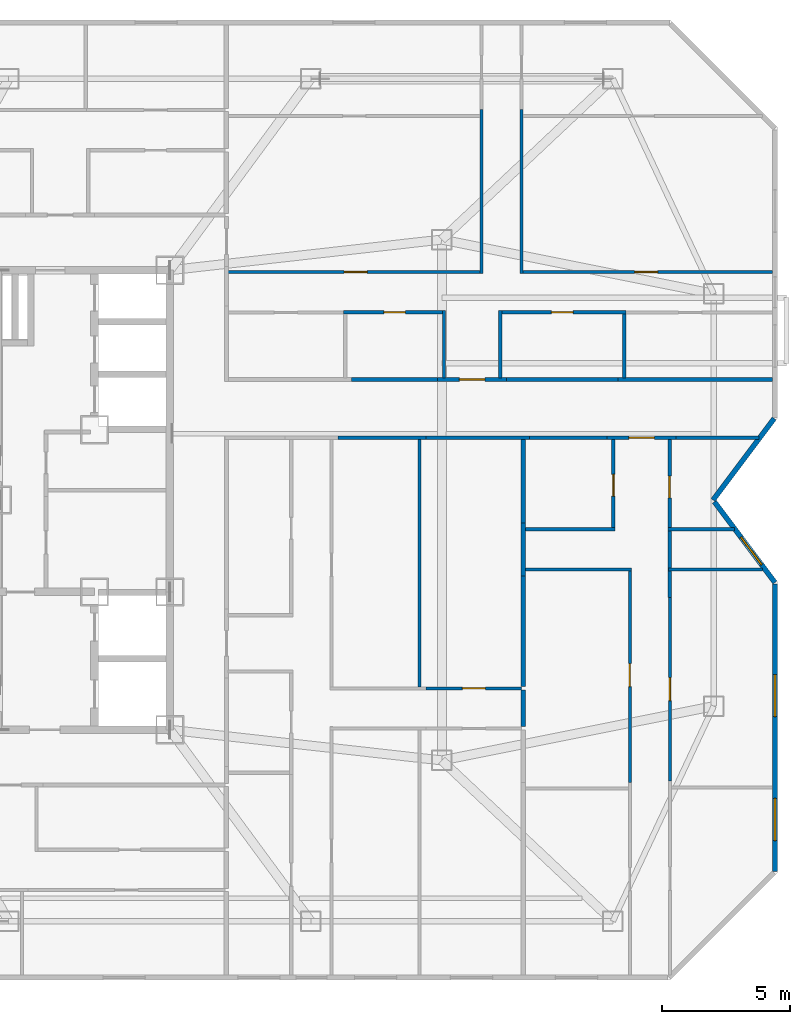
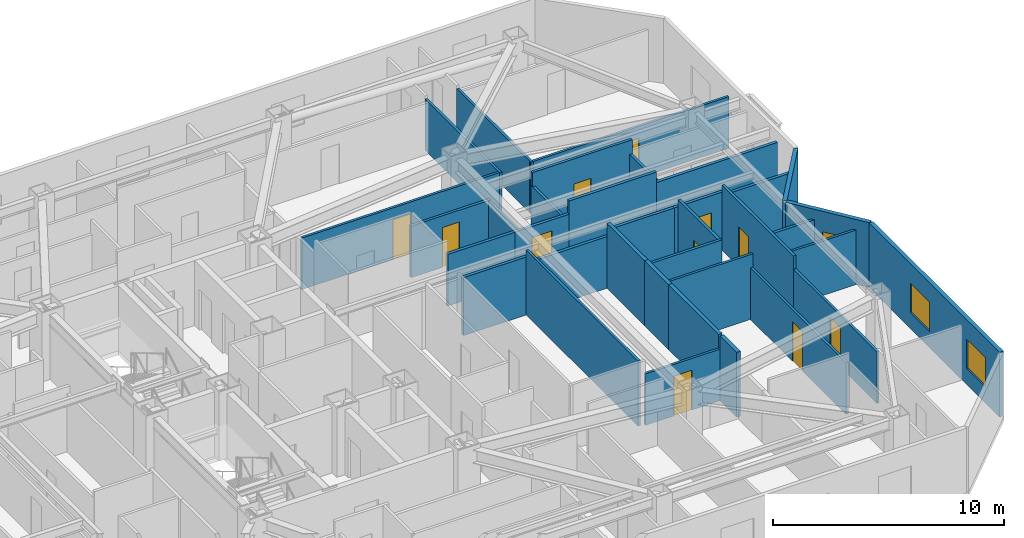
# One storey, part 9 of 12: 35 walls, 11 doors, 3 windows, 14 openings.
"""IFC4 building model written with IfcOpenShell, lengths in metres."""

from ifc_helpers import new_model, si_unit, direction, frame, frame_2d, origin, place, context, subcontext, project, spatial, rectangle, extrude, material, layer, layer_set, type_object, element, fill, save


model = new_model("IFC4")

# Units and contexts
model_context = context("Model", 3, precision=1e-05, world=origin(), true_north=direction((0.0, 1.0)))
body_context = subcontext(model_context, "Body", "Model", "MODEL_VIEW")
ifc_project = project(units=[si_unit("LENGTHUNIT", "METRE"), si_unit("AREAUNIT", "SQUARE_METRE"), si_unit("VOLUMEUNIT", "CUBIC_METRE"), si_unit("PLANEANGLEUNIT", "RADIAN"), si_unit("MASSUNIT", "GRAM", prefix="KILO")], contexts=[model_context])

# Site, building, storey
site_placement = place(None, origin())
site = spatial("IfcSite", under=ifc_project, at=site_placement, CompositionType="ELEMENT")
building_placement = place(site_placement, origin())
building = spatial("IfcBuilding", under=site, at=building_placement, Name="Khamvora Tower", CompositionType="ELEMENT")
storey_placement = place(building_placement, frame((0.0, 0.0, 199.699951171875)))
storey = spatial("IfcBuildingStorey", under=building, at=storey_placement, Name="L51", CompositionType="ELEMENT", Elevation=199.699951171875)

# Walls
ifc_material_1 = material(Name="Fire-Rated Drywall and Steel Stud", Category="steel")
ifc_layer_1 = layer(ifc_material_1, 0.14990234375)
ifc_layer_set_1 = layer_set([ifc_layer_1], Name="Fire-Rated Drywall and Steel Stud")
wall_type_1 = type_object("IfcWallType", Name="WAL-CORR-150", PredefinedType="STANDARD", material=ifc_layer_set_1)
wall_1_placement = place(storey_placement, frame((49.431884765625, 30.43505859375, 0.0), z_axis=(0.0, 0.0, 1.0), x_axis=(-1.0, 0.0, 0.0)))
element("IfcWall", 1, at=wall_1_placement, inside=storey, type_object=wall_type_1, Name="L51 interior partition wall 031", PredefinedType="STANDARD", context=body_context, shape_type="SweptSolid", body=[
    extrude(rectangle(XDim=3.447998046875, YDim=0.14990234375, at=frame_2d((1.72412109375, 0.0))), origin(), (0.0, 0.0, 1.0), 3.06494140625),
])
wall_2_placement = place(storey_placement, frame((53.490966796875, 30.43505859375, 0.0), z_axis=(0.0, 0.0, 1.0), x_axis=(-1.0, 0.0, 0.0)))
element("IfcWall", 2, at=wall_2_placement, inside=storey, type_object=wall_type_1, Name="L51 interior partition wall 032", PredefinedType="STANDARD", context=body_context, shape_type="SweptSolid", body=[
    extrude(rectangle(XDim=4.05908203125, YDim=0.14990234375, at=frame_2d((2.029541015625, 0.0))), origin(), (0.0, 0.0, 1.0), 2.72509765625),
])

# Wall, opening, door
wall_3_placement = place(storey_placement, frame((59.221923828125, 30.43505859375, 0.0), z_axis=(0.0, 0.0, 1.0), x_axis=(-1.0, 0.0, 0.0)))
wall_3 = element("IfcWall", 3, at=wall_3_placement, inside=storey, type_object=wall_type_1, Name="L51 interior partition wall 033", PredefinedType="STANDARD", context=body_context, shape_type="SweptSolid", body=[
    extrude(rectangle(XDim=2.697998046875, YDim=0.14990234375, at=frame_2d((1.34912109375, 0.0))), origin(), (0.0, 0.0, 1.0), 3.06494140625),
])
opening_1_placement = place(wall_3_placement, frame((0.84912109375, 0.0, 0.0)))
opening_1 = element("IfcOpeningElement", 4, at=opening_1_placement, cuts=wall_3, Name="Opening D-U1", PredefinedType="OPENING", context=body_context, shape_type="SweptSolid", body=[
    extrude(rectangle(XDim=1.0, YDim=2.14990234375, at=frame_2d((0.5, 1.074951171875))), frame((0.0, 0.0849609375, 0.0), z_axis=(0.0, -1.0, 0.0), x_axis=(1.0, 0.0, 0.0)), (0.0, 0.0, 1.0), 0.169921875),
])
ifc_material_2 = material(Name="Powder-Coated Steel and Hardwood Leaf", Category="steel")
door_type_1 = type_object("IfcDoorType", Name="DOR-UNIT-1000", OperationType="NOTDEFINED", PredefinedType="DOOR", material=ifc_material_2)
door_1_placement = place(opening_1_placement, origin())
door_1 = element("IfcDoor", 5, at=door_1_placement, inside=storey, type_object=door_type_1, Name="L51 interior door COR-51EA2H", OperationType="SINGLE_SWING_RIGHT", OverallHeight=2.14990234375, OverallWidth=1.0, PredefinedType="DOOR", context=body_context, shape_type="SweptSolid", body=[
    extrude(rectangle(XDim=1.0, YDim=2.14990234375, at=frame_2d((0.5, 1.074951171875))), frame((0.0, 0.02490234375, 0.0), z_axis=(0.0, -1.0, 0.0), x_axis=(1.0, 0.0, 0.0)), (0.0, 0.0, 1.0), 0.050048828125),
])
fill(opening_1, door_1)

# Walls
wall_4_placement = place(storey_placement, frame((62.47509765625, 30.43505859375, 0.0), z_axis=(0.0, 0.0, 1.0), x_axis=(-1.0, 0.0, 0.0)))
element("IfcWall", 6, at=wall_4_placement, inside=storey, type_object=wall_type_1, Name="L51 interior partition wall 034", PredefinedType="STANDARD", context=body_context, shape_type="SweptSolid", body=[
    extrude(rectangle(XDim=3.253173828125, YDim=0.14990234375, at=frame_2d((1.62646484375, 0.0))), origin(), (0.0, 0.0, 1.0), 2.8759765625),
])
wall_5_placement = place(storey_placement, frame((56.52392578125, 30.43505859375, 0.0), z_axis=(0.0, 0.0, 1.0), x_axis=(-1.0, 0.0, 0.0)))
element("IfcWall", 7, at=wall_5_placement, inside=storey, type_object=wall_type_1, Name="L51 interior partition wall 035", PredefinedType="STANDARD", context=body_context, shape_type="SweptSolid", body=[
    extrude(rectangle(XDim=3.032958984375, YDim=0.14990234375, at=frame_2d((1.5166015625, 0.0))), origin(), (0.0, 0.0, 1.0), 3.06494140625),
])
wall_6_placement = place(storey_placement, frame((56.950927734375, 32.715087890625, 0.0), z_axis=(0.0, 0.0, 1.0), x_axis=(1.0, 0.0, 0.0)))
element("IfcWall", 8, at=wall_6_placement, inside=storey, type_object=wall_type_1, Name="L51 interior partition wall 038", PredefinedType="STANDARD", context=body_context, shape_type="SweptSolid", body=[
    extrude(rectangle(XDim=6.05712890625, YDim=0.14990234375, at=frame_2d((3.028564453125, 0.0))), origin(), (0.0, 0.0, 1.0), 2.8759765625),
])

# Wall, opening, door
wall_7_placement = place(storey_placement, frame((49.885986328125, 32.715087890625, 0.0), z_axis=(0.0, 0.0, 1.0), x_axis=(1.0, 0.0, 0.0)))
wall_7 = element("IfcWall", 9, at=wall_7_placement, inside=storey, type_object=wall_type_1, Name="L51 interior partition wall 040", PredefinedType="STANDARD", context=body_context, shape_type="SweptSolid", body=[
    extrude(rectangle(XDim=2.697998046875, YDim=0.14990234375, at=frame_2d((1.34912109375, 0.0))), origin(), (0.0, 0.0, 1.0), 2.72509765625),
])
opening_2_placement = place(wall_7_placement, frame((0.84912109375, 0.0, 0.0)))
opening_2 = element("IfcOpeningElement", 10, at=opening_2_placement, cuts=wall_7, Name="Opening D-U1", PredefinedType="OPENING", context=body_context, shape_type="SweptSolid", body=[
    extrude(rectangle(XDim=1.0, YDim=2.14990234375, at=frame_2d((0.5, 1.074951171875))), frame((0.0, 0.0849609375, 0.0), z_axis=(0.0, -1.0, 0.0), x_axis=(1.0, 0.0, 0.0)), (0.0, 0.0, 1.0), 0.169921875),
])
door_2_placement = place(opening_2_placement, origin())
door_2 = element("IfcDoor", 11, at=door_2_placement, inside=storey, type_object=door_type_1, Name="L51 interior door COR-51EBH", OperationType="SINGLE_SWING_LEFT", OverallHeight=2.14990234375, OverallWidth=1.0, PredefinedType="DOOR", context=body_context, shape_type="SweptSolid", body=[
    extrude(rectangle(XDim=1.0, YDim=2.14990234375, at=frame_2d((0.5, 1.074951171875))), frame((0.0, 0.02490234375, 0.0), z_axis=(0.0, -1.0, 0.0), x_axis=(1.0, 0.0, 0.0)), (0.0, 0.0, 1.0), 0.050048828125),
])
fill(opening_2, door_2)

# Walls
wall_8_placement = place(storey_placement, frame((46.51904296875, 32.715087890625, 0.0), z_axis=(0.0, 0.0, 1.0), x_axis=(1.0, 0.0, 0.0)))
element("IfcWall", 12, at=wall_8_placement, inside=storey, type_object=wall_type_1, Name="L51 interior partition wall 041", PredefinedType="STANDARD", context=body_context, shape_type="SweptSolid", body=[
    extrude(rectangle(XDim=3.366943359375, YDim=0.14990234375, at=frame_2d((1.68359375, 0.0))), origin(), (0.0, 0.0, 1.0), 2.72509765625),
])
wall_9_placement = place(storey_placement, frame((52.583984375, 32.715087890625, 0.0), z_axis=(0.0, 0.0, 1.0), x_axis=(1.0, 0.0, 0.0)))
element("IfcWall", 13, at=wall_9_placement, inside=storey, type_object=wall_type_1, Name="L51 interior partition wall 042", PredefinedType="STANDARD", context=body_context, shape_type="SweptSolid", body=[
    extrude(rectangle(XDim=4.366943359375, YDim=0.14990234375, at=frame_2d((2.18359375, 0.0))), origin(), (0.0, 0.0, 1.0), 3.429931640625),
])
ifc_material_3 = material(Name="Acoustic Double-Stud Fire Wall", Category="gypsum")
ifc_layer_2 = layer(ifc_material_3, 0.179931640625)
ifc_layer_set_2 = layer_set([ifc_layer_2], Name="Acoustic Double-Stud Fire Wall")
wall_type_2 = type_object("IfcWallType", Name="WAL-CORR-180", PredefinedType="STANDARD", material=ifc_layer_set_2)
wall_10_placement = place(storey_placement, frame((53.240966796875, 20.56005859375, 0.0), z_axis=(0.0, 0.0, 1.0), x_axis=(0.0, -1.0, 0.0)))
element("IfcWall", 14, at=wall_10_placement, inside=storey, type_object=wall_type_2, Name="L51 interior partition wall 112", PredefinedType="STANDARD", context=body_context, shape_type="SweptSolid", body=[
    extrude(rectangle(XDim=1.43994140625, YDim=0.179931640625, at=frame_2d((0.719970703125, 0.0))), origin(), (0.0, 0.0, 1.0), 3.429931640625),
])
wall_11_placement = place(storey_placement, frame((53.240966796875, 27.10400390625, 0.0), z_axis=(0.0, 0.0, 1.0), x_axis=(0.0, -1.0, 0.0)))
element("IfcWall", 15, at=wall_11_placement, inside=storey, type_object=wall_type_2, Name="L51 interior partition wall 117", PredefinedType="STANDARD", context=body_context, shape_type="SweptSolid", body=[
    extrude(rectangle(XDim=2.078125, YDim=0.179931640625, at=frame_2d((1.0390625, 0.0))), origin(), (0.0, 0.0, 1.0), 3.429931640625),
])
wall_12_placement = place(storey_placement, frame((53.240966796875, 30.367919921875, 0.0), z_axis=(0.0, 0.0, 1.0), x_axis=(0.0, -1.0, 0.0)))
element("IfcWall", 16, at=wall_12_placement, inside=storey, type_object=wall_type_2, Name="L51 interior partition wall 118", PredefinedType="STANDARD", context=body_context, shape_type="SweptSolid", body=[
    extrude(rectangle(XDim=3.263916015625, YDim=0.179931640625, at=frame_2d((1.6318359375, 0.0))), origin(), (0.0, 0.0, 1.0), 3.429931640625),
])
wall_13_placement = place(storey_placement, frame((53.240966796875, 25.02587890625, 0.0), z_axis=(0.0, 0.0, 1.0), x_axis=(0.0, -1.0, 0.0)))
element("IfcWall", 17, at=wall_13_placement, inside=storey, type_object=wall_type_2, Name="L51 interior partition wall 119", PredefinedType="STANDARD", context=body_context, shape_type="SweptSolid", body=[
    extrude(rectangle(XDim=4.3359375, YDim=0.179931640625, at=frame_2d((2.16796875, 0.0))), origin(), (0.0, 0.0, 1.0), 3.429931640625),
])
ifc_material_4 = material(Name="Precast concrete C40/50", Category="concrete")
ifc_layer_3 = layer(ifc_material_4, 0.199951171875)
ifc_layer_set_3 = layer_set([ifc_layer_3], Name="Precast concrete C40/50")
wall_type_3 = type_object("IfcWallType", Name="WAL-EXT-200", PredefinedType="STANDARD", material=ifc_layer_set_3)
wall_14_placement = place(storey_placement, frame((63.069091796875, 31.19091796875, 0.0), z_axis=(0.0, 0.0, 1.0), x_axis=(-0.600137081448, -0.799897170561, 0.0)))
element("IfcWall", 18, at=wall_14_placement, inside=storey, type_object=wall_type_3, Name="L51 exterior facade wall 10.1", PredefinedType="STANDARD", context=body_context, shape_type="SweptSolid", body=[
    extrude(rectangle(XDim=3.9892578125, YDim=0.199951171875, at=frame_2d((1.99462890625, 0.0))), origin(), (0.0, 0.0, 1.0), 3.429931640625),
])

# Wall, opening, window
wall_15_placement = place(storey_placement, frame((60.72705078125, 27.930908203125, 0.0), z_axis=(0.0, 0.0, 1.0), x_axis=(0.600029630681, -0.799977776132, 0.0)))
wall_15 = element("IfcWall", 19, at=wall_15_placement, inside=storey, type_object=wall_type_3, Name="L51 exterior facade wall 11.1", PredefinedType="STANDARD", context=body_context, shape_type="SweptSolid", body=[
    extrude(rectangle(XDim=3.954833984375, YDim=0.199951171875, at=frame_2d((1.9775390625, 0.0))), origin(), (0.0, 0.0, 1.0), 3.429931640625),
])
opening_3_placement = place(wall_15_placement, frame((1.73388671875, 0.0, 0.85009765625)))
opening_3 = element("IfcOpeningElement", 20, at=opening_3_placement, cuts=wall_15, Name="Opening WN-07", PredefinedType="OPENING", context=body_context, shape_type="SweptSolid", body=[
    extrude(rectangle(XDim=1.35009765625, YDim=1.5, at=frame_2d((0.675048828125, 0.75))), frame((0.0, 0.10986328125, 0.0), z_axis=(0.0, -1.0, 0.0), x_axis=(1.0, 0.0, 0.0)), (0.0, 0.0, 1.0), 0.219970703125),
])
ifc_material_5 = material(Name="Low-E Laminated Double Glazing", Category="glass")
window_type_1 = type_object("IfcWindowType", Name="WIN-VIS-1350x1500", PartitioningType="SINGLE_PANEL", PredefinedType="WINDOW", material=ifc_material_5)
window_1_placement = place(opening_3_placement, origin())
window_1 = element("IfcWindow", 21, at=window_1_placement, inside=storey, type_object=window_type_1, Name="L51 vision window 11.1.01", OverallHeight=1.5, OverallWidth=1.35009765625, PartitioningType="SINGLE_PANEL", PredefinedType="WINDOW", context=body_context, shape_type="SweptSolid", body=[
    extrude(rectangle(XDim=1.35009765625, YDim=1.5, at=frame_2d((0.675048828125, 0.75))), frame((0.0, 0.030029296875, 0.0), z_axis=(0.0, -1.0, 0.0), x_axis=(1.0, 0.0, 0.0)), (0.0, 0.0, 1.0), 0.06005859375),
])
fill(opening_3, window_1)

# Wall, openings, windows
wall_16_placement = place(storey_placement, frame((63.10009765625, 24.717041015625, 0.0), z_axis=(0.0, 0.0, 1.0), x_axis=(0.0, -1.0, 0.0)))
wall_16 = element("IfcWall", 22, at=wall_16_placement, inside=storey, type_object=wall_type_3, Name="L51 exterior facade wall 12.1", PredefinedType="STANDARD", context=body_context, shape_type="SweptSolid", body=[
    extrude(rectangle(XDim=11.276123046875, YDim=0.199951171875, at=frame_2d((5.63818359375, 0.0))), origin(), (0.0, 0.0, 1.0), 3.429931640625),
])
opening_4_placement = place(wall_16_placement, frame((8.406005859375, 0.0, 0.85009765625)))
opening_4 = element("IfcOpeningElement", 23, at=opening_4_placement, cuts=wall_16, Name="Opening WN-06", PredefinedType="OPENING", context=body_context, shape_type="SweptSolid", body=[
    extrude(rectangle(XDim=1.64990234375, YDim=1.550048828125, at=frame_2d((0.824951171875, 0.77490234375))), frame((0.0, 0.10986328125, 0.0), z_axis=(0.0, -1.0, 0.0), x_axis=(1.0, 0.0, 0.0)), (0.0, 0.0, 1.0), 0.219970703125),
])
opening_5_placement = place(wall_16_placement, frame((3.552978515625, 0.0, 0.85009765625)))
opening_5 = element("IfcOpeningElement", 24, at=opening_5_placement, cuts=wall_16, Name="Opening WN-06", PredefinedType="OPENING", context=body_context, shape_type="SweptSolid", body=[
    extrude(rectangle(XDim=1.64990234375, YDim=1.550048828125, at=frame_2d((0.824951171875, 0.77490234375))), frame((0.0, 0.10986328125, 0.0), z_axis=(0.0, -1.0, 0.0), x_axis=(1.0, 0.0, 0.0)), (0.0, 0.0, 1.0), 0.219970703125),
])
window_type_2 = type_object("IfcWindowType", Name="WIN-VIS-1650x1550", PartitioningType="SINGLE_PANEL", PredefinedType="WINDOW", material=ifc_material_5)
window_2_placement = place(opening_4_placement, origin())
window_2 = element("IfcWindow", 25, at=window_2_placement, inside=storey, type_object=window_type_2, Name="L51 vision window 12.1.01", OverallHeight=1.550048828125, OverallWidth=1.64990234375, PartitioningType="SINGLE_PANEL", PredefinedType="WINDOW", context=body_context, shape_type="SweptSolid", body=[
    extrude(rectangle(XDim=1.64990234375, YDim=1.550048828125, at=frame_2d((0.824951171875, 0.77490234375))), frame((0.0, 0.030029296875, 0.0), z_axis=(0.0, -1.0, 0.0), x_axis=(1.0, 0.0, 0.0)), (0.0, 0.0, 1.0), 0.06005859375),
])
fill(opening_4, window_2)
window_3_placement = place(opening_5_placement, origin())
window_3 = element("IfcWindow", 26, at=window_3_placement, inside=storey, type_object=window_type_2, Name="L51 vision window 12.1.02", OverallHeight=1.550048828125, OverallWidth=1.64990234375, PartitioningType="SINGLE_PANEL", PredefinedType="WINDOW", context=body_context, shape_type="SweptSolid", body=[
    extrude(rectangle(XDim=1.64990234375, YDim=1.550048828125, at=frame_2d((0.824951171875, 0.77490234375))), frame((0.0, 0.030029296875, 0.0), z_axis=(0.0, -1.0, 0.0), x_axis=(1.0, 0.0, 0.0)), (0.0, 0.0, 1.0), 0.06005859375),
])
fill(opening_5, window_3)

# Wall, opening, door
ifc_material_6 = material(Name="Gypsum Plasterboard Partition", Category="gypsum")
ifc_layer_4 = layer(ifc_material_6, 0.1201171875)
ifc_layer_set_4 = layer_set([ifc_layer_4], Name="Gypsum Plasterboard Partition")
wall_type_4 = type_object("IfcWallType", Name="WAL-PART-120", PredefinedType="PARTITIONING", material=ifc_layer_set_4)
wall_17_placement = place(storey_placement, frame((49.431884765625, 20.625, 0.0), z_axis=(0.0, 0.0, 1.0), x_axis=(1.0, 0.0, 0.0)))
wall_17 = element("IfcWall", 27, at=wall_17_placement, inside=storey, type_object=wall_type_4, Name="L51 interior partition wall 111", PredefinedType="PARTITIONING", context=body_context, shape_type="SweptSolid", body=[
    extrude(rectangle(XDim=3.744140625, YDim=0.1201171875, at=frame_2d((1.8720703125, 0.0))), origin(), (0.0, 0.0, 1.0), 2.72509765625),
])
opening_6_placement = place(wall_17_placement, frame((1.422119140625, 0.0, 0.0)))
opening_6 = element("IfcOpeningElement", 28, at=opening_6_placement, cuts=wall_17, Name="Opening D-RM1", PredefinedType="OPENING", context=body_context, shape_type="SweptSolid", body=[
    extrude(rectangle(XDim=0.89990234375, YDim=2.10009765625, at=frame_2d((0.449951171875, 1.050048828125))), frame((0.0, 0.070068359375, 0.0), z_axis=(0.0, -1.0, 0.0), x_axis=(1.0, 0.0, 0.0)), (0.0, 0.0, 1.0), 0.14013671875),
])
door_type_2 = type_object("IfcDoorType", Name="DOR-ROOM-900", OperationType="NOTDEFINED", PredefinedType="DOOR", material=ifc_material_2)
door_3_placement = place(opening_6_placement, origin())
door_3 = element("IfcDoor", 29, at=door_3_placement, inside=storey, type_object=door_type_2, Name="L51 interior door 51EA1H-51EA1R4", OperationType="SINGLE_SWING_RIGHT", OverallHeight=2.10009765625, OverallWidth=0.89990234375, PredefinedType="DOOR", context=body_context, shape_type="SweptSolid", body=[
    extrude(rectangle(XDim=0.89990234375, YDim=2.10009765625, at=frame_2d((0.449951171875, 1.050048828125))), frame((0.0, 0.02490234375, 0.0), z_axis=(0.0, -1.0, 0.0), x_axis=(1.0, 0.0, 0.0)), (0.0, 0.0, 1.0), 0.050048828125),
])
fill(opening_6, door_3)

# Wall
wall_18_placement = place(storey_placement, frame((49.18310546875, 30.367919921875, 0.0), z_axis=(0.0, 0.0, 1.0), x_axis=(0.0, -1.0, 0.0)))
element("IfcWall", 30, at=wall_18_placement, inside=storey, type_object=wall_type_4, Name="L51 interior partition wall 116", PredefinedType="PARTITIONING", context=body_context, shape_type="SweptSolid", body=[
    extrude(rectangle(XDim=9.68896484375, YDim=0.1201171875, at=frame_2d((4.844482421875, 0.0))), origin(), (0.0, 0.0, 1.0), 3.429931640625),
])

# Wall, opening, door
wall_19_placement = place(storey_placement, frame((57.4130859375, 16.945068359375, 0.0), z_axis=(0.0, 0.0, 1.0), x_axis=(0.0, 1.0, 0.0)))
wall_19 = element("IfcWall", 31, at=wall_19_placement, inside=storey, type_object=wall_type_4, Name="L51 interior partition wall 125", PredefinedType="PARTITIONING", context=body_context, shape_type="SweptSolid", body=[
    extrude(rectangle(XDim=8.39501953125, YDim=0.1201171875, at=frame_2d((4.197509765625, 0.0))), origin(), (0.0, 0.0, 1.0), 2.72509765625),
])
opening_7_placement = place(wall_19_placement, frame((3.7470703125, 0.0, 0.0)))
opening_7 = element("IfcOpeningElement", 32, at=opening_7_placement, cuts=wall_19, Name="Opening D-RM1", PredefinedType="OPENING", context=body_context, shape_type="SweptSolid", body=[
    extrude(rectangle(XDim=0.89990234375, YDim=2.10009765625, at=frame_2d((0.449951171875, 1.050048828125))), frame((0.0, 0.070068359375, 0.0), z_axis=(0.0, -1.0, 0.0), x_axis=(1.0, 0.0, 0.0)), (0.0, 0.0, 1.0), 0.14013671875),
])
door_4_placement = place(opening_7_placement, origin())
door_4 = element("IfcDoor", 33, at=door_4_placement, inside=storey, type_object=door_type_2, Name="L51 interior door 51EA2H-51EA2R2", OperationType="SINGLE_SWING_RIGHT", OverallHeight=2.10009765625, OverallWidth=0.89990234375, PredefinedType="DOOR", context=body_context, shape_type="SweptSolid", body=[
    extrude(rectangle(XDim=0.89990234375, YDim=2.10009765625, at=frame_2d((0.449951171875, 1.050048828125))), frame((0.0, 0.02490234375, 0.0), z_axis=(0.0, -1.0, 0.0), x_axis=(1.0, 0.0, 0.0)), (0.0, 0.0, 1.0), 0.050048828125),
])
fill(opening_7, door_4)

# Walls
wall_20_placement = place(storey_placement, frame((57.47802734375, 25.27490234375, 0.0), z_axis=(0.0, 0.0, 1.0), x_axis=(-1.0, 0.0, 0.0)))
element("IfcWall", 34, at=wall_20_placement, inside=storey, type_object=wall_type_4, Name="L51 interior partition wall 126", PredefinedType="PARTITIONING", context=body_context, shape_type="SweptSolid", body=[
    extrude(rectangle(XDim=4.155029296875, YDim=0.1201171875, at=frame_2d((2.07763671875, 0.0))), origin(), (0.0, 0.0, 1.0), 3.429931640625),
])
wall_21_placement = place(storey_placement, frame((62.614990234375, 25.27490234375, 0.0), z_axis=(0.0, 0.0, 1.0), x_axis=(-1.0, 0.0, 0.0)))
element("IfcWall", 35, at=wall_21_placement, inside=storey, type_object=wall_type_4, Name="L51 interior partition wall 128", PredefinedType="PARTITIONING", context=body_context, shape_type="SweptSolid", body=[
    extrude(rectangle(XDim=3.69287109375, YDim=0.1201171875, at=frame_2d((1.846435546875, 0.0))), origin(), (0.0, 0.0, 1.0), 2.8759765625),
])

# Wall, opening, door
wall_22_placement = place(storey_placement, frame((58.98291015625, 24.18994140625, 0.0), z_axis=(0.0, 0.0, 1.0), x_axis=(0.0, -1.0, 0.0)))
wall_22 = element("IfcWall", 36, at=wall_22_placement, inside=storey, type_object=wall_type_4, Name="L51 interior partition wall 129", PredefinedType="PARTITIONING", context=body_context, shape_type="SweptSolid", body=[
    extrude(rectangle(XDim=7.19482421875, YDim=0.1201171875, at=frame_2d((3.597412109375, 0.0))), origin(), (0.0, 0.0, 1.0), 2.72509765625),
])
opening_8_placement = place(wall_22_placement, frame((3.14697265625, 0.0, 0.0)))
opening_8 = element("IfcOpeningElement", 37, at=opening_8_placement, cuts=wall_22, Name="Opening D-RM1", PredefinedType="OPENING", context=body_context, shape_type="SweptSolid", body=[
    extrude(rectangle(XDim=0.89990234375, YDim=2.10009765625, at=frame_2d((0.449951171875, 1.050048828125))), frame((0.0, 0.070068359375, 0.0), z_axis=(0.0, -1.0, 0.0), x_axis=(1.0, 0.0, 0.0)), (0.0, 0.0, 1.0), 0.14013671875),
])
door_5_placement = place(opening_8_placement, origin())
door_5 = element("IfcDoor", 38, at=door_5_placement, inside=storey, type_object=door_type_2, Name="L51 interior door 51EA2H-51EA2R4", OperationType="SINGLE_SWING_RIGHT", OverallHeight=2.10009765625, OverallWidth=0.89990234375, PredefinedType="DOOR", context=body_context, shape_type="SweptSolid", body=[
    extrude(rectangle(XDim=0.89990234375, YDim=2.10009765625, at=frame_2d((0.449951171875, 1.050048828125))), frame((0.0, 0.02490234375, 0.0), z_axis=(0.0, -1.0, 0.0), x_axis=(1.0, 0.0, 0.0)), (0.0, 0.0, 1.0), 0.050048828125),
])
fill(opening_8, door_5)

wall_23_placement = place(storey_placement, frame((41.681884765625, 36.928955078125, 0.0), z_axis=(0.0, 0.0, 1.0), x_axis=(1.0, 0.0, 0.0)))
wall_23 = element("IfcWall", 39, at=wall_23_placement, inside=storey, type_object=wall_type_4, Name="L51 interior partition wall 140", PredefinedType="PARTITIONING", context=body_context, shape_type="SweptSolid", body=[
    extrude(rectangle(XDim=9.983154296875, YDim=0.1201171875, at=frame_2d((4.99169921875, 0.0))), origin(), (0.0, 0.0, 1.0), 2.72509765625),
])
opening_9_placement = place(wall_23_placement, frame((4.5419921875, 0.0, 0.0)))
opening_9 = element("IfcOpeningElement", 40, at=opening_9_placement, cuts=wall_23, Name="Opening D-RM1", PredefinedType="OPENING", context=body_context, shape_type="SweptSolid", body=[
    extrude(rectangle(XDim=0.89990234375, YDim=2.10009765625, at=frame_2d((0.449951171875, 1.050048828125))), frame((0.0, 0.070068359375, 0.0), z_axis=(0.0, -1.0, 0.0), x_axis=(1.0, 0.0, 0.0)), (0.0, 0.0, 1.0), 0.14013671875),
])
door_6_placement = place(opening_9_placement, origin())
door_6 = element("IfcDoor", 41, at=door_6_placement, inside=storey, type_object=door_type_2, Name="L51 interior door 51EBH-51EBR1", OperationType="SINGLE_SWING_RIGHT", OverallHeight=2.10009765625, OverallWidth=0.89990234375, PredefinedType="DOOR", context=body_context, shape_type="SweptSolid", body=[
    extrude(rectangle(XDim=0.89990234375, YDim=2.10009765625, at=frame_2d((0.449951171875, 1.050048828125))), frame((0.0, 0.02490234375, 0.0), z_axis=(0.0, -1.0, 0.0), x_axis=(1.0, 0.0, 0.0)), (0.0, 0.0, 1.0), 0.050048828125),
])
fill(opening_9, door_6)

# Walls
for number, where, z_axis, x_axis, name in (
    (42, (51.60009765625, 36.864013671875, 0.0), (0.0, 0.0, 1.0), (0.0, 1.0, 0.0), "L51 interior partition wall 141"),
    (43, (53.169921875, 43.2939453125, 0.0), (0.0, 0.0, 1.0), (0.0, -1.0, 0.0), "L51 interior partition wall 143"),
):
    element("IfcWall", number, at=place(storey_placement, frame(where, z_axis=z_axis, x_axis=x_axis)), inside=storey, type_object=wall_type_4, Name=name, PredefinedType="PARTITIONING", context=body_context, shape_type="SweptSolid", body=[
        extrude(rectangle(XDim=6.429931640625, YDim=0.1201171875, at=frame_2d((3.21484375, 0.0))), origin(), (0.0, 0.0, 1.0), 2.72509765625),
    ])

# Wall, opening, door
wall_24_placement = place(storey_placement, frame((53.10498046875, 36.928955078125, 0.0), z_axis=(0.0, 0.0, 1.0), x_axis=(1.0, 0.0, 0.0)))
wall_24 = element("IfcWall", 44, at=wall_24_placement, inside=storey, type_object=wall_type_4, Name="L51 interior partition wall 144", PredefinedType="PARTITIONING", context=body_context, shape_type="SweptSolid", body=[
    extrude(rectangle(XDim=9.903076171875, YDim=0.1201171875, at=frame_2d((4.95166015625, 0.0))), origin(), (0.0, 0.0, 1.0), 2.72509765625),
])
opening_10_placement = place(wall_24_placement, frame((4.501953125, 0.0, 0.0)))
opening_10 = element("IfcOpeningElement", 45, at=opening_10_placement, cuts=wall_24, Name="Opening D-RM1", PredefinedType="OPENING", context=body_context, shape_type="SweptSolid", body=[
    extrude(rectangle(XDim=0.89990234375, YDim=2.10009765625, at=frame_2d((0.449951171875, 1.050048828125))), frame((0.0, 0.070068359375, 0.0), z_axis=(0.0, -1.0, 0.0), x_axis=(1.0, 0.0, 0.0)), (0.0, 0.0, 1.0), 0.14013671875),
])
door_7_placement = place(opening_10_placement, origin())
door_7 = element("IfcDoor", 46, at=door_7_placement, inside=storey, type_object=door_type_2, Name="L51 interior door 51EBH-51EBR3", OperationType="SINGLE_SWING_RIGHT", OverallHeight=2.10009765625, OverallWidth=0.89990234375, PredefinedType="DOOR", context=body_context, shape_type="SweptSolid", body=[
    extrude(rectangle(XDim=0.89990234375, YDim=2.10009765625, at=frame_2d((0.449951171875, 1.050048828125))), frame((0.0, 0.02490234375, 0.0), z_axis=(0.0, -1.0, 0.0), x_axis=(1.0, 0.0, 0.0)), (0.0, 0.0, 1.0), 0.050048828125),
])
fill(opening_10, door_7)

ifc_material_7 = material(Name="Moisture-Resistant Plasterboard Partition", Category="gypsum")
ifc_layer_5 = layer(ifc_material_7, 0.135009765625)
ifc_layer_set_5 = layer_set([ifc_layer_5], Name="Moisture-Resistant Plasterboard Partition")
wall_type_5 = type_object("IfcWallType", Name="WAL-WET-135", PredefinedType="PARTITIONING", material=ifc_layer_set_5)
wall_25_placement = place(storey_placement, frame((58.972900390625, 30.367919921875, 0.0), z_axis=(0.0, 0.0, 1.0), x_axis=(0.0, -1.0, 0.0)))
wall_25 = element("IfcWall", 47, at=wall_25_placement, inside=storey, type_object=wall_type_5, Name="L51 interior partition wall 120", PredefinedType="PARTITIONING", context=body_context, shape_type="SweptSolid", body=[
    extrude(rectangle(XDim=6.177978515625, YDim=0.135009765625, at=frame_2d((3.0888671875, 0.0))), origin(), (0.0, 0.0, 1.0), 3.429931640625),
])
opening_11_placement = place(wall_25_placement, frame((1.43505859375, 0.0, 0.0)))
opening_11 = element("IfcOpeningElement", 48, at=opening_11_placement, cuts=wall_25, Name="Opening D-WC1", PredefinedType="OPENING", context=body_context, shape_type="SweptSolid", body=[
    extrude(rectangle(XDim=0.85009765625, YDim=2.10009765625, at=frame_2d((0.425048828125, 1.050048828125))), frame((0.0, 0.077392578125, 0.0), z_axis=(0.0, -1.0, 0.0), x_axis=(1.0, 0.0, 0.0)), (0.0, 0.0, 1.0), 0.155029296875),
])
door_type_3 = type_object("IfcDoorType", Name="DOR-WET-850", OperationType="NOTDEFINED", PredefinedType="DOOR", material=ifc_material_2)
door_8_placement = place(opening_11_placement, origin())
door_8 = element("IfcDoor", 49, at=door_8_placement, inside=storey, type_object=door_type_3, Name="L51 interior door 51EA2H-51EA2B", OperationType="SINGLE_SWING_LEFT", OverallHeight=2.10009765625, OverallWidth=0.85009765625, PredefinedType="DOOR", context=body_context, shape_type="SweptSolid", body=[
    extrude(rectangle(XDim=0.85009765625, YDim=2.10009765625, at=frame_2d((0.425048828125, 1.050048828125))), frame((0.0, 0.02490234375, 0.0), z_axis=(0.0, -1.0, 0.0), x_axis=(1.0, 0.0, 0.0)), (0.0, 0.0, 1.0), 0.050048828125),
])
fill(opening_11, door_8)

# Walls
wall_26_placement = place(storey_placement, frame((58.907958984375, 26.85498046875, 0.0), z_axis=(0.0, 0.0, 1.0), x_axis=(1.0, 0.0, 0.0)))
element("IfcWall", 50, at=wall_26_placement, inside=storey, type_object=wall_type_5, Name="L51 interior partition wall 121", PredefinedType="PARTITIONING", context=body_context, shape_type="SweptSolid", body=[
    extrude(rectangle(XDim=2.59912109375, YDim=0.135009765625, at=frame_2d((1.299560546875, 0.0))), origin(), (0.0, 0.0, 1.0), 2.8759765625),
])
wall_27_placement = place(storey_placement, frame((53.322998046875, 26.85498046875, 0.0), z_axis=(0.0, 0.0, 1.0), x_axis=(1.0, 0.0, 0.0)))
element("IfcWall", 51, at=wall_27_placement, inside=storey, type_object=wall_type_5, Name="L51 interior partition wall 122", PredefinedType="PARTITIONING", context=body_context, shape_type="SweptSolid", body=[
    extrude(rectangle(XDim=3.514892578125, YDim=0.135009765625, at=frame_2d((1.75732421875, 0.0))), origin(), (0.0, 0.0, 1.0), 3.429931640625),
])

# Wall, opening, door
wall_28_placement = place(storey_placement, frame((56.77294921875, 26.7900390625, 0.0), z_axis=(0.0, 0.0, 1.0), x_axis=(0.0, 1.0, 0.0)))
wall_28 = element("IfcWall", 52, at=wall_28_placement, inside=storey, type_object=wall_type_5, Name="L51 interior partition wall 123", PredefinedType="PARTITIONING", context=body_context, shape_type="SweptSolid", body=[
    extrude(rectangle(XDim=3.577880859375, YDim=0.135009765625, at=frame_2d((1.7890625, 0.0))), origin(), (0.0, 0.0, 1.0), 3.429931640625),
])
opening_12_placement = place(wall_28_placement, frame((1.364013671875, 0.0, 0.0)))
opening_12 = element("IfcOpeningElement", 53, at=opening_12_placement, cuts=wall_28, Name="Opening D-RM2", PredefinedType="OPENING", context=body_context, shape_type="SweptSolid", body=[
    extrude(rectangle(XDim=0.85009765625, YDim=2.10009765625, at=frame_2d((0.425048828125, 1.050048828125))), frame((0.0, 0.077392578125, 0.0), z_axis=(0.0, -1.0, 0.0), x_axis=(1.0, 0.0, 0.0)), (0.0, 0.0, 1.0), 0.155029296875),
])
door_type_4 = type_object("IfcDoorType", Name="DOR-ROOM-850", OperationType="NOTDEFINED", PredefinedType="DOOR", material=ifc_material_2)
door_9_placement = place(opening_12_placement, origin())
door_9 = element("IfcDoor", 54, at=door_9_placement, inside=storey, type_object=door_type_4, Name="L51 interior door 51EA2H-51EA2K", OperationType="SINGLE_SWING_RIGHT", OverallHeight=2.10009765625, OverallWidth=0.85009765625, PredefinedType="DOOR", context=body_context, shape_type="SweptSolid", body=[
    extrude(rectangle(XDim=0.85009765625, YDim=2.10009765625, at=frame_2d((0.425048828125, 1.050048828125))), frame((0.0, 0.02490234375, 0.0), z_axis=(0.0, -1.0, 0.0), x_axis=(1.0, 0.0, 0.0)), (0.0, 0.0, 1.0), 0.050048828125),
])
fill(opening_12, door_9)

# Walls
wall_29_placement = place(storey_placement, frame((57.199951171875, 32.781982421875, 0.0), z_axis=(0.0, 0.0, 1.0), x_axis=(0.0, 1.0, 0.0)))
element("IfcWall", 55, at=wall_29_placement, inside=storey, type_object=wall_type_5, Name="L51 interior partition wall 135", PredefinedType="PARTITIONING", context=body_context, shape_type="SweptSolid", body=[
    extrude(rectangle(XDim=2.501953125, YDim=0.135009765625, at=frame_2d((1.2509765625, 0.0))), origin(), (0.0, 0.0, 1.0), 2.68701171875),
])
wall_30_placement = place(storey_placement, frame((50.135009765625, 32.781982421875, 0.0), z_axis=(0.0, 0.0, 1.0), x_axis=(0.0, 1.0, 0.0)))
element("IfcWall", 56, at=wall_30_placement, inside=storey, type_object=wall_type_5, Name="L51 interior partition wall 136", PredefinedType="PARTITIONING", context=body_context, shape_type="SweptSolid", body=[
    extrude(rectangle(XDim=2.632080078125, YDim=0.135009765625, at=frame_2d((1.31591796875, 0.0))), origin(), (0.0, 0.0, 1.0), 2.68701171875),
])

# Wall, opening, door
wall_31_placement = place(storey_placement, frame((50.199951171875, 35.34912109375, 0.0), z_axis=(0.0, 0.0, 1.0), x_axis=(-1.0, 0.0, 0.0)))
wall_31 = element("IfcWall", 57, at=wall_31_placement, inside=storey, type_object=wall_type_5, Name="L51 interior partition wall 137", PredefinedType="PARTITIONING", context=body_context, shape_type="SweptSolid", body=[
    extrude(rectangle(XDim=3.994873046875, YDim=0.135009765625, at=frame_2d((1.99755859375, 0.0))), origin(), (0.0, 0.0, 1.0), 2.72509765625),
])
opening_13_placement = place(wall_31_placement, frame((1.572998046875, 0.0, 0.0)))
opening_13 = element("IfcOpeningElement", 58, at=opening_13_placement, cuts=wall_31, Name="Opening D-WC1", PredefinedType="OPENING", context=body_context, shape_type="SweptSolid", body=[
    extrude(rectangle(XDim=0.85009765625, YDim=2.10009765625, at=frame_2d((0.425048828125, 1.050048828125))), frame((0.0, 0.077392578125, 0.0), z_axis=(0.0, -1.0, 0.0), x_axis=(1.0, 0.0, 0.0)), (0.0, 0.0, 1.0), 0.155029296875),
])
door_10_placement = place(opening_13_placement, origin())
door_10 = element("IfcDoor", 59, at=door_10_placement, inside=storey, type_object=door_type_3, Name="L51 interior door 51EBH-51EBB", OperationType="SINGLE_SWING_RIGHT", OverallHeight=2.10009765625, OverallWidth=0.85009765625, PredefinedType="DOOR", context=body_context, shape_type="SweptSolid", body=[
    extrude(rectangle(XDim=0.85009765625, YDim=2.10009765625, at=frame_2d((0.425048828125, 1.050048828125))), frame((0.0, 0.02490234375, 0.0), z_axis=(0.0, -1.0, 0.0), x_axis=(1.0, 0.0, 0.0)), (0.0, 0.0, 1.0), 0.050048828125),
])
fill(opening_13, door_10)

wall_32_placement = place(storey_placement, frame((57.264892578125, 35.34912109375, 0.0), z_axis=(0.0, 0.0, 1.0), x_axis=(-1.0, 0.0, 0.0)))
wall_32 = element("IfcWall", 60, at=wall_32_placement, inside=storey, type_object=wall_type_5, Name="L51 interior partition wall 138", PredefinedType="PARTITIONING", context=body_context, shape_type="SweptSolid", body=[
    extrude(rectangle(XDim=4.994873046875, YDim=0.135009765625, at=frame_2d((2.49755859375, 0.0))), origin(), (0.0, 0.0, 1.0), 3.429931640625),
])
opening_14_placement = place(wall_32_placement, frame((2.072998046875, 0.0, 0.0)))
opening_14 = element("IfcOpeningElement", 61, at=opening_14_placement, cuts=wall_32, Name="Opening D-RM2", PredefinedType="OPENING", context=body_context, shape_type="SweptSolid", body=[
    extrude(rectangle(XDim=0.85009765625, YDim=2.10009765625, at=frame_2d((0.425048828125, 1.050048828125))), frame((0.0, 0.077392578125, 0.0), z_axis=(0.0, -1.0, 0.0), x_axis=(1.0, 0.0, 0.0)), (0.0, 0.0, 1.0), 0.155029296875),
])
door_11_placement = place(opening_14_placement, origin())
door_11 = element("IfcDoor", 62, at=door_11_placement, inside=storey, type_object=door_type_4, Name="L51 interior door 51EBH-51EBK", OperationType="SINGLE_SWING_LEFT", OverallHeight=2.10009765625, OverallWidth=0.85009765625, PredefinedType="DOOR", context=body_context, shape_type="SweptSolid", body=[
    extrude(rectangle(XDim=0.85009765625, YDim=2.10009765625, at=frame_2d((0.425048828125, 1.050048828125))), frame((0.0, 0.02490234375, 0.0), z_axis=(0.0, -1.0, 0.0), x_axis=(1.0, 0.0, 0.0)), (0.0, 0.0, 1.0), 0.050048828125),
])
fill(opening_14, door_11)

# Wall
wall_33_placement = place(storey_placement, frame((52.3349609375, 35.4140625, 0.0), z_axis=(0.0, 0.0, 1.0), x_axis=(0.0, -1.0, 0.0)))
element("IfcWall", 63, at=wall_33_placement, inside=storey, type_object=wall_type_5, Name="L51 interior partition wall 139", PredefinedType="PARTITIONING", context=body_context, shape_type="SweptSolid", body=[
    extrude(rectangle(XDim=2.632080078125, YDim=0.135009765625, at=frame_2d((1.31591796875, 0.0))), origin(), (0.0, 0.0, 1.0), 2.68701171875),
])

save(model, "model.ifc")
